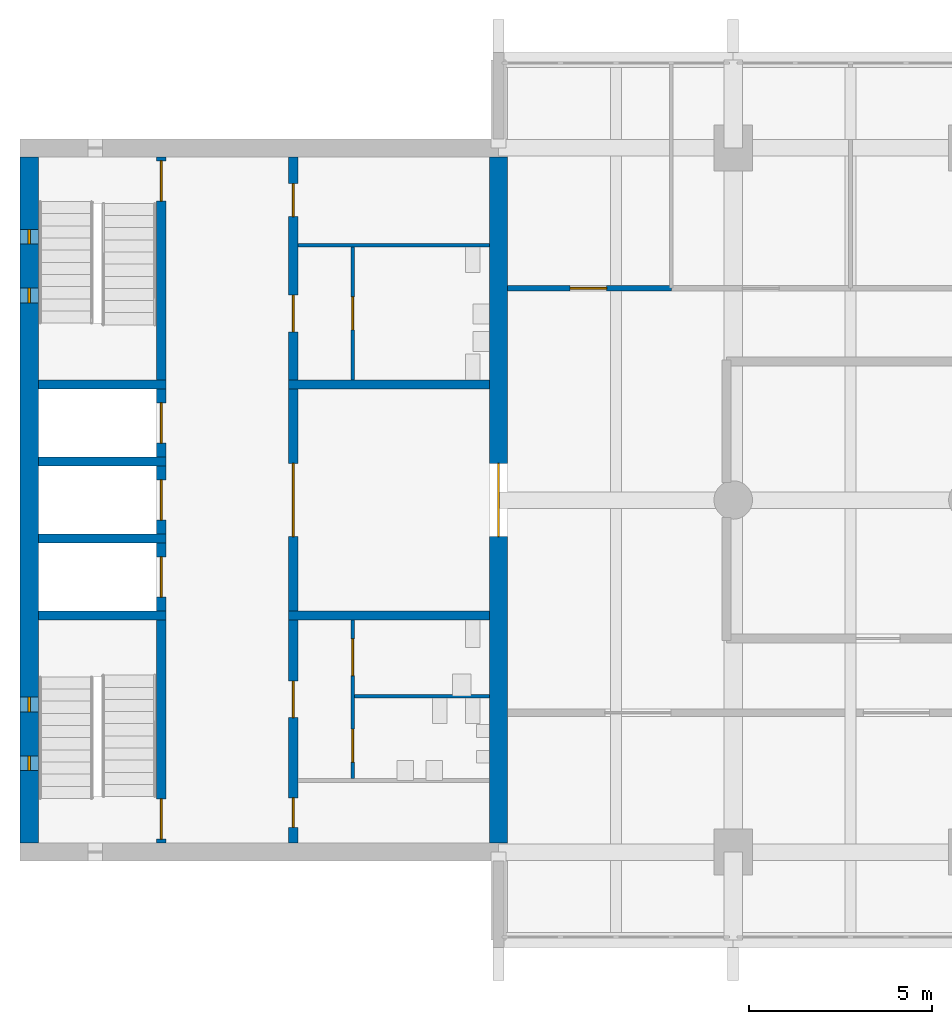
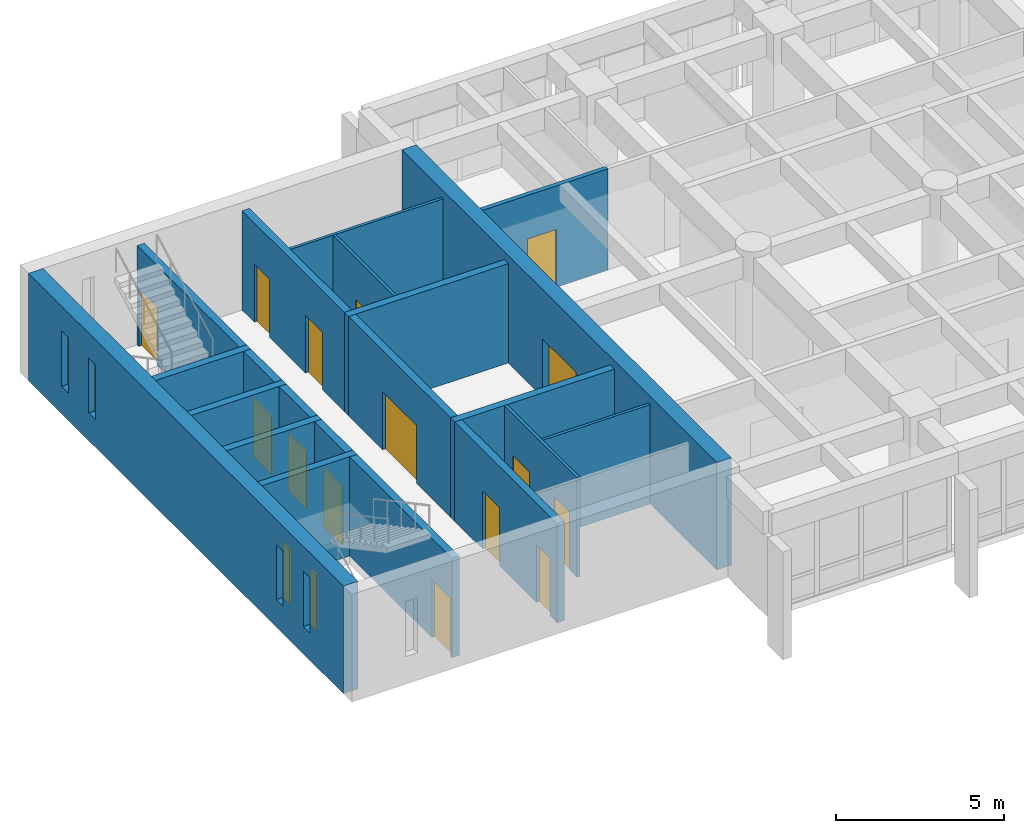
# One storey, part 11 of 19: 21 walls, 15 doors, 4 windows, 19 openings.
"""IFC4 building model written with IfcOpenShell, lengths in metres."""

from ifc_helpers import new_model, si_unit, direction, frame, frame_2d, origin, place, context, subcontext, project, spatial, rectangle, extrude, material, layer, layer_set, type_object, element, fill, save


model = new_model("IFC4")

# Units and contexts
model_context = context("Model", 3, precision=1e-05, world=origin(), true_north=direction((0.0, 1.0)))
body_context = subcontext(model_context, "Body", "Model", "MODEL_VIEW")
ifc_project = project(units=[si_unit("LENGTHUNIT", "METRE"), si_unit("AREAUNIT", "SQUARE_METRE"), si_unit("VOLUMEUNIT", "CUBIC_METRE"), si_unit("PLANEANGLEUNIT", "RADIAN"), si_unit("MASSUNIT", "GRAM", prefix="KILO")], contexts=[model_context])

# Site, building, storey
site_placement = place(None, origin())
site = spatial("IfcSite", under=ifc_project, at=site_placement, CompositionType="ELEMENT")
building_placement = place(site_placement, origin())
building = spatial("IfcBuilding", under=site, at=building_placement, Name="Fogon Plaza Fire Station and Headquarters Tower", CompositionType="ELEMENT")
storey_placement = place(building_placement, frame((0.0, 0.0, 21.0)))
storey = spatial("IfcBuildingStorey", under=building, at=storey_placement, Name="L05", CompositionType="ELEMENT", Elevation=21.0)

# Walls
ifc_material_1 = material(Name="Concrete C40", Category="concrete")
ifc_layer_1 = layer(ifc_material_1, 0.25)
ifc_layer_set_1 = layer_set([ifc_layer_1], Name="Concrete C40")
wall_type_1 = type_object("IfcWallType", Name="Core Wall RC 250", PredefinedType="SOLIDWALL", material=ifc_layer_set_1)
for number, where, z_axis, x_axis, name in (
    (1, (13.050048828125, 40.050048828125, 0.0), (0.0, 0.0, 1.0), (1.0, 0.0, 0.0), "Core A shaft wall"),
    (2, (13.050048828125, 42.14990234375, 0.0), (0.0, 0.0, 1.0), (1.0, 0.0, 0.0), "Core A shaft wall"),
    (3, (13.050048828125, 44.25, 0.0), (0.0, 0.0, 1.0), (1.0, 0.0, 0.0), "Core A shaft wall"),
    (4, (13.050048828125, 46.35009765625, 0.0), (0.0, 0.0, 1.0), (1.0, 0.0, 0.0), "Core A shaft wall"),
):
    element("IfcWall", number, at=place(storey_placement, frame(where, z_axis=z_axis, x_axis=x_axis)), inside=storey, type_object=wall_type_1, Name=name, PredefinedType="SOLIDWALL", context=body_context, shape_type="SweptSolid", body=[
        extrude(rectangle(XDim=3.474853515625, YDim=0.25, at=frame_2d((1.7373046875, 0.0))), origin(), (0.0, 0.0, 1.0), 3.60009765625),
    ])

# Wall, opening, door
wall_1_placement = place(storey_placement, frame((16.39990234375, 33.85009765625, 0.0), z_axis=(0.0, 0.0, 1.0), x_axis=(0.0, 1.0, 0.0)))
wall_1 = element("IfcWall", 5, at=wall_1_placement, inside=storey, type_object=wall_type_1, Name="Core A shaft wall", PredefinedType="SOLIDWALL", context=body_context, shape_type="SweptSolid", body=[
    extrude(rectangle(XDim=6.074951171875, YDim=0.25, at=frame_2d((3.03759765625, 0.0))), origin(), (0.0, 0.0, 1.0), 3.60009765625),
])
opening_1_placement = place(wall_1_placement, frame((0.10009765625, 0.0, 0.0)))
opening_1 = element("IfcOpeningElement", 6, at=opening_1_placement, cuts=wall_1, Name="Opening L05-D01", PredefinedType="OPENING", context=body_context, shape_type="SweptSolid", body=[
    extrude(rectangle(XDim=1.10009765625, YDim=2.10009765625, at=frame_2d((0.550048828125, 1.050048828125))), frame((0.0, 0.135009765625, 0.0), z_axis=(0.0, -1.0, 0.0), x_axis=(1.0, 0.0, 0.0)), (0.0, 0.0, 1.0), 0.27001953125),
])
ifc_material_2 = material(Name="Steel Fire Door Leaf", Category="steel")
door_type_1 = type_object("IfcDoorType", Name="Stair Door Single 1100x2100", OperationType="SINGLE_SWING_LEFT", PredefinedType="DOOR", material=ifc_material_2)
door_1_placement = place(opening_1_placement, origin())
door_1 = element("IfcDoor", 7, at=door_1_placement, inside=storey, type_object=door_type_1, Name="Stair door ST1", OperationType="SINGLE_SWING_LEFT", OverallHeight=2.10009765625, OverallWidth=1.10009765625, PredefinedType="DOOR", context=body_context, shape_type="SweptSolid", body=[
    extrude(rectangle(XDim=1.10009765625, YDim=2.10009765625, at=frame_2d((0.550048828125, 1.050048828125))), frame((0.0, 0.02490234375, 0.0), z_axis=(0.0, -1.0, 0.0), x_axis=(1.0, 0.0, 0.0)), (0.0, 0.0, 1.0), 0.050048828125),
])
fill(opening_1, door_1)

wall_2_placement = place(storey_placement, frame((16.39990234375, 40.175048828125, 0.0), z_axis=(0.0, 0.0, 1.0), x_axis=(0.0, 1.0, 0.0)))
wall_2 = element("IfcWall", 8, at=wall_2_placement, inside=storey, type_object=wall_type_1, Name="Core A shaft wall", PredefinedType="SOLIDWALL", context=body_context, shape_type="SweptSolid", body=[
    extrude(rectangle(XDim=1.849853515625, YDim=0.25, at=frame_2d((0.9248046875, 0.0))), origin(), (0.0, 0.0, 1.0), 3.60009765625),
])
opening_2_placement = place(wall_2_placement, frame((0.375, 0.0, 0.0)))
opening_2 = element("IfcOpeningElement", 9, at=opening_2_placement, cuts=wall_2, Name="Opening L05-D03", PredefinedType="OPENING", context=body_context, shape_type="SweptSolid", body=[
    extrude(rectangle(XDim=1.10009765625, YDim=2.10009765625, at=frame_2d((0.550048828125, 1.050048828125))), frame((0.0, 0.135009765625, 0.0), z_axis=(0.0, -1.0, 0.0), x_axis=(1.0, 0.0, 0.0)), (0.0, 0.0, 1.0), 0.27001953125),
])
ifc_material_3 = material(Name="Stainless Steel", Category="steel")
door_type_2 = type_object("IfcDoorType", Name="Lift Landing Door 1100x2100", OperationType="SLIDING_TO_LEFT", PredefinedType="DOOR", material=ifc_material_3)
door_2_placement = place(opening_2_placement, origin())
door_2 = element("IfcDoor", 10, at=door_2_placement, inside=storey, type_object=door_type_2, Name="Lift LP1 landing door", OperationType="SLIDING_TO_LEFT", OverallHeight=2.10009765625, OverallWidth=1.10009765625, PredefinedType="DOOR", context=body_context, shape_type="SweptSolid", body=[
    extrude(rectangle(XDim=1.10009765625, YDim=2.10009765625, at=frame_2d((0.550048828125, 1.050048828125))), frame((0.0, 0.02490234375, 0.0), z_axis=(0.0, -1.0, 0.0), x_axis=(1.0, 0.0, 0.0)), (0.0, 0.0, 1.0), 0.050048828125),
])
fill(opening_2, door_2)

wall_3_placement = place(storey_placement, frame((16.39990234375, 42.27490234375, 0.0), z_axis=(0.0, 0.0, 1.0), x_axis=(0.0, 1.0, 0.0)))
wall_3 = element("IfcWall", 11, at=wall_3_placement, inside=storey, type_object=wall_type_1, Name="Core A shaft wall", PredefinedType="SOLIDWALL", context=body_context, shape_type="SweptSolid", body=[
    extrude(rectangle(XDim=1.85009765625, YDim=0.25, at=frame_2d((0.925048828125, 0.0))), origin(), (0.0, 0.0, 1.0), 3.60009765625),
])
opening_3_placement = place(wall_3_placement, frame((0.375, 0.0, 0.0)))
opening_3 = element("IfcOpeningElement", 12, at=opening_3_placement, cuts=wall_3, Name="Opening L05-D04", PredefinedType="OPENING", context=body_context, shape_type="SweptSolid", body=[
    extrude(rectangle(XDim=1.10009765625, YDim=2.10009765625, at=frame_2d((0.550048828125, 1.050048828125))), frame((0.0, 0.135009765625, 0.0), z_axis=(0.0, -1.0, 0.0), x_axis=(1.0, 0.0, 0.0)), (0.0, 0.0, 1.0), 0.27001953125),
])
door_3_placement = place(opening_3_placement, origin())
door_3 = element("IfcDoor", 13, at=door_3_placement, inside=storey, type_object=door_type_2, Name="Lift LP2 landing door", OperationType="SLIDING_TO_LEFT", OverallHeight=2.10009765625, OverallWidth=1.10009765625, PredefinedType="DOOR", context=body_context, shape_type="SweptSolid", body=[
    extrude(rectangle(XDim=1.10009765625, YDim=2.10009765625, at=frame_2d((0.550048828125, 1.050048828125))), frame((0.0, 0.02490234375, 0.0), z_axis=(0.0, -1.0, 0.0), x_axis=(1.0, 0.0, 0.0)), (0.0, 0.0, 1.0), 0.050048828125),
])
fill(opening_3, door_3)

wall_4_placement = place(storey_placement, frame((16.39990234375, 44.375, 0.0), z_axis=(0.0, 0.0, 1.0), x_axis=(0.0, 1.0, 0.0)))
wall_4 = element("IfcWall", 14, at=wall_4_placement, inside=storey, type_object=wall_type_1, Name="Core A shaft wall", PredefinedType="SOLIDWALL", context=body_context, shape_type="SweptSolid", body=[
    extrude(rectangle(XDim=1.85009765625, YDim=0.25, at=frame_2d((0.925048828125, 0.0))), origin(), (0.0, 0.0, 1.0), 3.60009765625),
])
opening_4_placement = place(wall_4_placement, frame((0.375, 0.0, 0.0)))
opening_4 = element("IfcOpeningElement", 15, at=opening_4_placement, cuts=wall_4, Name="Opening L05-D05", PredefinedType="OPENING", context=body_context, shape_type="SweptSolid", body=[
    extrude(rectangle(XDim=1.10009765625, YDim=2.10009765625, at=frame_2d((0.550048828125, 1.050048828125))), frame((0.0, 0.135009765625, 0.0), z_axis=(0.0, -1.0, 0.0), x_axis=(1.0, 0.0, 0.0)), (0.0, 0.0, 1.0), 0.27001953125),
])
door_4_placement = place(opening_4_placement, origin())
door_4 = element("IfcDoor", 16, at=door_4_placement, inside=storey, type_object=door_type_2, Name="Lift FL1 landing door", OperationType="SLIDING_TO_LEFT", OverallHeight=2.10009765625, OverallWidth=1.10009765625, PredefinedType="DOOR", context=body_context, shape_type="SweptSolid", body=[
    extrude(rectangle(XDim=1.10009765625, YDim=2.10009765625, at=frame_2d((0.550048828125, 1.050048828125))), frame((0.0, 0.02490234375, 0.0), z_axis=(0.0, -1.0, 0.0), x_axis=(1.0, 0.0, 0.0)), (0.0, 0.0, 1.0), 0.050048828125),
])
fill(opening_4, door_4)

wall_5_placement = place(storey_placement, frame((16.39990234375, 46.47509765625, 0.0), z_axis=(0.0, 0.0, 1.0), x_axis=(0.0, 1.0, 0.0)))
wall_5 = element("IfcWall", 17, at=wall_5_placement, inside=storey, type_object=wall_type_1, Name="Core A shaft wall", PredefinedType="SOLIDWALL", context=body_context, shape_type="SweptSolid", body=[
    extrude(rectangle(XDim=6.074951171875, YDim=0.25, at=frame_2d((3.03759765625, 0.0))), origin(), (0.0, 0.0, 1.0), 3.60009765625),
])
opening_5_placement = place(wall_5_placement, frame((4.875, 0.0, 0.0)))
opening_5 = element("IfcOpeningElement", 18, at=opening_5_placement, cuts=wall_5, Name="Opening L05-D02", PredefinedType="OPENING", context=body_context, shape_type="SweptSolid", body=[
    extrude(rectangle(XDim=1.10009765625, YDim=2.10009765625, at=frame_2d((0.550048828125, 1.050048828125))), frame((0.0, 0.135009765625, 0.0), z_axis=(0.0, -1.0, 0.0), x_axis=(1.0, 0.0, 0.0)), (0.0, 0.0, 1.0), 0.27001953125),
])
door_5_placement = place(opening_5_placement, origin())
door_5 = element("IfcDoor", 19, at=door_5_placement, inside=storey, type_object=door_type_1, Name="Stair door ST2", OperationType="SINGLE_SWING_RIGHT", OverallHeight=2.10009765625, OverallWidth=1.10009765625, PredefinedType="DOOR", context=body_context, shape_type="SweptSolid", body=[
    extrude(rectangle(XDim=1.10009765625, YDim=2.10009765625, at=frame_2d((0.550048828125, 1.050048828125))), frame((0.0, 0.02490234375, 0.0), z_axis=(0.0, -1.0, 0.0), x_axis=(1.0, 0.0, 0.0)), (0.0, 0.0, 1.0), 0.050048828125),
])
fill(opening_5, door_5)

# Wall, openings, doors
wall_6_placement = place(storey_placement, frame((20.0, 33.85009765625, 0.0), z_axis=(0.0, 0.0, 1.0), x_axis=(0.0, 1.0, 0.0)))
wall_6 = element("IfcWall", 20, at=wall_6_placement, inside=storey, type_object=wall_type_1, Name="Core A shaft wall", PredefinedType="SOLIDWALL", context=body_context, shape_type="SweptSolid", body=[
    extrude(rectangle(XDim=6.074951171875, YDim=0.25, at=frame_2d((3.03759765625, 0.0))), origin(), (0.0, 0.0, 1.0), 3.60009765625),
])
opening_6_placement = place(wall_6_placement, frame((0.425048828125, 0.0, 0.0)))
opening_6 = element("IfcOpeningElement", 21, at=opening_6_placement, cuts=wall_6, Name="Opening L05-D08", PredefinedType="OPENING", context=body_context, shape_type="SweptSolid", body=[
    extrude(rectangle(XDim=0.800048828125, YDim=2.10009765625, at=frame_2d((0.39990234375, 1.050048828125))), frame((0.0, 0.135009765625, 0.0), z_axis=(0.0, -1.0, 0.0), x_axis=(1.0, 0.0, 0.0)), (0.0, 0.0, 1.0), 0.27001953125),
])
opening_7_placement = place(wall_6_placement, frame((3.41259765625, 0.0, 0.0)))
opening_7 = element("IfcOpeningElement", 22, at=opening_7_placement, cuts=wall_6, Name="Opening L05-D09", PredefinedType="OPENING", context=body_context, shape_type="SweptSolid", body=[
    extrude(rectangle(XDim=1.0, YDim=2.10009765625, at=frame_2d((0.5, 1.050048828125))), frame((0.0, 0.135009765625, 0.0), z_axis=(0.0, -1.0, 0.0), x_axis=(1.0, 0.0, 0.0)), (0.0, 0.0, 1.0), 0.27001953125),
])
ifc_material_4 = material(Name="Timber Door Leaf", Category="wood")
door_type_3 = type_object("IfcDoorType", Name="Cleaner Store Single 800x2100", OperationType="SINGLE_SWING_LEFT", PredefinedType="DOOR", material=ifc_material_4)
door_6_placement = place(opening_6_placement, frame((0.800048828125, 0.0, 0.0), z_axis=(0.0, 0.0, 1.0), x_axis=(-1.0, 0.0, 0.0)))
door_6 = element("IfcDoor", 23, at=door_6_placement, inside=storey, type_object=door_type_3, Name="Cleaner's store A door", OperationType="SINGLE_SWING_RIGHT", OverallHeight=2.10009765625, OverallWidth=0.800048828125, PredefinedType="DOOR", context=body_context, shape_type="SweptSolid", body=[
    extrude(rectangle(XDim=0.800048828125, YDim=2.10009765625, at=frame_2d((0.39990234375, 1.050048828125))), frame((0.0, 0.02490234375, 0.0), z_axis=(0.0, -1.0, 0.0), x_axis=(1.0, 0.0, 0.0)), (0.0, 0.0, 1.0), 0.050048828125),
])
fill(opening_6, door_6)
ifc_material_5 = material(Name="Timber fire door", Category="wood")
door_type_4 = type_object("IfcDoorType", Name="WC Lobby Single 1000x2100", OperationType="SINGLE_SWING_LEFT", PredefinedType="DOOR", material=ifc_material_5)
door_7_placement = place(opening_7_placement, frame((1.0, 0.0, 0.0), z_axis=(0.0, 0.0, 1.0), x_axis=(-1.0, 0.0, 0.0)))
door_7 = element("IfcDoor", 24, at=door_7_placement, inside=storey, type_object=door_type_4, Name="Men's WC lobby A door", OperationType="SINGLE_SWING_LEFT", OverallHeight=2.10009765625, OverallWidth=1.0, PredefinedType="DOOR", context=body_context, shape_type="SweptSolid", body=[
    extrude(rectangle(XDim=1.0, YDim=2.10009765625, at=frame_2d((0.5, 1.050048828125))), frame((0.0, 0.02490234375, 0.0), z_axis=(0.0, -1.0, 0.0), x_axis=(1.0, 0.0, 0.0)), (0.0, 0.0, 1.0), 0.050048828125),
])
fill(opening_7, door_7)

# Wall, opening, door
wall_7_placement = place(storey_placement, frame((20.0, 40.175048828125, 0.0), z_axis=(0.0, 0.0, 1.0), x_axis=(0.0, 1.0, 0.0)))
wall_7 = element("IfcWall", 25, at=wall_7_placement, inside=storey, type_object=wall_type_1, Name="Core A shaft wall", PredefinedType="SOLIDWALL", context=body_context, shape_type="SweptSolid", body=[
    extrude(rectangle(XDim=6.050048828125, YDim=0.25, at=frame_2d((3.02490234375, 0.0))), origin(), (0.0, 0.0, 1.0), 3.60009765625),
])
opening_8_placement = place(wall_7_placement, frame((2.02490234375, 0.0, 0.0)))
opening_8 = element("IfcOpeningElement", 26, at=opening_8_placement, cuts=wall_7, Name="Opening L05-D06", PredefinedType="OPENING", context=body_context, shape_type="SweptSolid", body=[
    extrude(rectangle(XDim=2.0, YDim=2.10009765625, at=frame_2d((1.0, 1.050048828125))), frame((0.0, 0.135009765625, 0.0), z_axis=(0.0, -1.0, 0.0), x_axis=(1.0, 0.0, 0.0)), (0.0, 0.0, 1.0), 0.27001953125),
])
ifc_material_6 = material(Name="Steel Fire Door Leaf", Category="steel")
door_type_5 = type_object("IfcDoorType", Name="Vestibule Double 2000x2100", OperationType="DOUBLE_DOOR_SINGLE_SWING", PredefinedType="DOOR", material=ifc_material_6)
door_8_placement = place(opening_8_placement, frame((2.0, 0.0, 0.0), z_axis=(0.0, 0.0, 1.0), x_axis=(-1.0, 0.0, 0.0)))
door_8 = element("IfcDoor", 27, at=door_8_placement, inside=storey, type_object=door_type_5, Name="Vestibule A door", OperationType="DOUBLE_DOOR_SINGLE_SWING", OverallHeight=2.10009765625, OverallWidth=2.0, PredefinedType="DOOR", context=body_context, shape_type="SweptSolid", body=[
    extrude(rectangle(XDim=2.0, YDim=2.10009765625, at=frame_2d((1.0, 1.050048828125))), frame((0.0, 0.02490234375, 0.0), z_axis=(0.0, -1.0, 0.0), x_axis=(1.0, 0.0, 0.0)), (0.0, 0.0, 1.0), 0.050048828125),
])
fill(opening_8, door_8)

# Wall, openings, doors
wall_8_placement = place(storey_placement, frame((20.0, 46.47509765625, 0.0), z_axis=(0.0, 0.0, 1.0), x_axis=(0.0, 1.0, 0.0)))
wall_8 = element("IfcWall", 28, at=wall_8_placement, inside=storey, type_object=wall_type_1, Name="Core A shaft wall", PredefinedType="SOLIDWALL", context=body_context, shape_type="SweptSolid", body=[
    extrude(rectangle(XDim=6.074951171875, YDim=0.25, at=frame_2d((3.03759765625, 0.0))), origin(), (0.0, 0.0, 1.0), 3.60009765625),
])
opening_9_placement = place(wall_8_placement, frame((1.3125, 0.0, 0.0)))
opening_9 = element("IfcOpeningElement", 29, at=opening_9_placement, cuts=wall_8, Name="Opening L05-D12", PredefinedType="OPENING", context=body_context, shape_type="SweptSolid", body=[
    extrude(rectangle(XDim=1.0, YDim=2.10009765625, at=frame_2d((0.5, 1.050048828125))), frame((0.0, 0.135009765625, 0.0), z_axis=(0.0, -1.0, 0.0), x_axis=(1.0, 0.0, 0.0)), (0.0, 0.0, 1.0), 0.27001953125),
])
opening_10_placement = place(wall_8_placement, frame((4.449951171875, 0.0, 0.0)))
opening_10 = element("IfcOpeningElement", 30, at=opening_10_placement, cuts=wall_8, Name="Opening L05-D14", PredefinedType="OPENING", context=body_context, shape_type="SweptSolid", body=[
    extrude(rectangle(XDim=0.89990234375, YDim=2.10009765625, at=frame_2d((0.449951171875, 1.050048828125))), frame((0.0, 0.135009765625, 0.0), z_axis=(0.0, -1.0, 0.0), x_axis=(1.0, 0.0, 0.0)), (0.0, 0.0, 1.0), 0.27001953125),
])
ifc_material_7 = material(Name="Steel Fire Door Leaf", Category="steel")
door_type_6 = type_object("IfcDoorType", Name="Riser Single 900x2100", OperationType="SINGLE_SWING_LEFT", PredefinedType="DOOR", material=ifc_material_7)
door_9_placement = place(opening_10_placement, frame((0.89990234375, 0.0, 0.0), z_axis=(0.0, 0.0, 1.0), x_axis=(-1.0, 0.0, 0.0)))
door_9 = element("IfcDoor", 31, at=door_9_placement, inside=storey, type_object=door_type_6, Name="Riser room A door", OperationType="SINGLE_SWING_RIGHT", OverallHeight=2.10009765625, OverallWidth=0.89990234375, PredefinedType="DOOR", context=body_context, shape_type="SweptSolid", body=[
    extrude(rectangle(XDim=0.89990234375, YDim=2.10009765625, at=frame_2d((0.449951171875, 1.050048828125))), frame((0.0, 0.02490234375, 0.0), z_axis=(0.0, -1.0, 0.0), x_axis=(1.0, 0.0, 0.0)), (0.0, 0.0, 1.0), 0.050048828125),
])
fill(opening_10, door_9)
door_10_placement = place(opening_9_placement, frame((1.0, 0.0, 0.0), z_axis=(0.0, 0.0, 1.0), x_axis=(-1.0, 0.0, 0.0)))
door_10 = element("IfcDoor", 32, at=door_10_placement, inside=storey, type_object=door_type_4, Name="Women's WC lobby A door", OperationType="SINGLE_SWING_RIGHT", OverallHeight=2.10009765625, OverallWidth=1.0, PredefinedType="DOOR", context=body_context, shape_type="SweptSolid", body=[
    extrude(rectangle(XDim=1.0, YDim=2.10009765625, at=frame_2d((0.5, 1.050048828125))), frame((0.0, 0.02490234375, 0.0), z_axis=(0.0, -1.0, 0.0), x_axis=(1.0, 0.0, 0.0)), (0.0, 0.0, 1.0), 0.050048828125),
])
fill(opening_9, door_10)

# Walls
for number, where, z_axis, x_axis, name in (
    (33, (19.875, 40.050048828125, 0.0), (0.0, 0.0, 1.0), (1.0, 0.0, 0.0), "Core A shaft wall"),
    (34, (19.875, 46.35009765625, 0.0), (0.0, 0.0, 1.0), (1.0, 0.0, 0.0), "Core A shaft wall"),
):
    element("IfcWall", number, at=place(storey_placement, frame(where, z_axis=z_axis, x_axis=x_axis)), inside=storey, type_object=wall_type_1, Name=name, PredefinedType="SOLIDWALL", context=body_context, shape_type="SweptSolid", body=[
        extrude(rectangle(XDim=5.47509765625, YDim=0.25, at=frame_2d((2.737548828125, 0.0))), origin(), (0.0, 0.0, 1.0), 3.60009765625),
    ])

# Wall, openings, doors
ifc_material_8 = material(Name="Blockwork", Category="masonry")
ifc_layer_2 = layer(ifc_material_8, 0.10009765625)
ifc_layer_set_2 = layer_set([ifc_layer_2], Name="Blockwork")
wall_type_2 = type_object("IfcWallType", Name="Partition Blockwork 100", PredefinedType="PARTITIONING", material=ifc_layer_set_2)
wall_9_placement = place(storey_placement, frame((21.625, 35.60009765625, 0.0), z_axis=(0.0, 0.0, 1.0), x_axis=(0.0, 1.0, 0.0)))
wall_9 = element("IfcWall", 35, at=wall_9_placement, inside=storey, type_object=wall_type_2, Name="WC block partition", PredefinedType="PARTITIONING", context=body_context, shape_type="SweptSolid", body=[
    extrude(rectangle(XDim=4.324951171875, YDim=0.10009765625, at=frame_2d((2.16259765625, 0.0))), origin(), (0.0, 0.0, 1.0), 3.60009765625),
])
opening_11_placement = place(wall_9_placement, frame((0.449951171875, 0.0, 0.0)))
opening_11 = element("IfcOpeningElement", 36, at=opening_11_placement, cuts=wall_9, Name="Opening L05-D10", PredefinedType="OPENING", context=body_context, shape_type="SweptSolid", body=[
    extrude(rectangle(XDim=0.89990234375, YDim=2.10009765625, at=frame_2d((0.449951171875, 1.050048828125))), frame((0.0, 0.06005859375, 0.0), z_axis=(0.0, -1.0, 0.0), x_axis=(1.0, 0.0, 0.0)), (0.0, 0.0, 1.0), 0.1201171875),
])
opening_12_placement = place(wall_9_placement, frame((2.8125, 0.0, 0.0)))
opening_12 = element("IfcOpeningElement", 37, at=opening_12_placement, cuts=wall_9, Name="Opening L05-D11", PredefinedType="OPENING", context=body_context, shape_type="SweptSolid", body=[
    extrude(rectangle(XDim=1.0, YDim=2.10009765625, at=frame_2d((0.5, 1.050048828125))), frame((0.0, 0.06005859375, 0.0), z_axis=(0.0, -1.0, 0.0), x_axis=(1.0, 0.0, 0.0)), (0.0, 0.0, 1.0), 0.1201171875),
])
ifc_material_9 = material(Name="Timber Door Leaf", Category="wood")
door_type_7 = type_object("IfcDoorType", Name="Accessible WC Single 1000x2100", OperationType="SINGLE_SWING_LEFT", PredefinedType="DOOR", material=ifc_material_9)
door_11_placement = place(opening_12_placement, frame((1.0, 0.0, 0.0), z_axis=(0.0, 0.0, 1.0), x_axis=(-1.0, 0.0, 0.0)))
door_11 = element("IfcDoor", 38, at=door_11_placement, inside=storey, type_object=door_type_7, Name="Accessible WC A door", OperationType="SINGLE_SWING_LEFT", OverallHeight=2.10009765625, OverallWidth=1.0, PredefinedType="DOOR", context=body_context, shape_type="SweptSolid", body=[
    extrude(rectangle(XDim=1.0, YDim=2.10009765625, at=frame_2d((0.5, 1.050048828125))), frame((0.0, 0.02490234375, 0.0), z_axis=(0.0, -1.0, 0.0), x_axis=(1.0, 0.0, 0.0)), (0.0, 0.0, 1.0), 0.050048828125),
])
fill(opening_12, door_11)
ifc_material_10 = material(Name="Timber Door Leaf", Category="wood")
door_type_8 = type_object("IfcDoorType", Name="WC Single 900x2100", OperationType="SINGLE_SWING_LEFT", PredefinedType="DOOR", material=ifc_material_10)
door_12_placement = place(opening_11_placement, frame((0.89990234375, 0.0, 0.0), z_axis=(0.0, 0.0, 1.0), x_axis=(-1.0, 0.0, 0.0)))
door_12 = element("IfcDoor", 39, at=door_12_placement, inside=storey, type_object=door_type_8, Name="Men's WC A door", OperationType="SINGLE_SWING_RIGHT", OverallHeight=2.10009765625, OverallWidth=0.89990234375, PredefinedType="DOOR", context=body_context, shape_type="SweptSolid", body=[
    extrude(rectangle(XDim=0.89990234375, YDim=2.10009765625, at=frame_2d((0.449951171875, 1.050048828125))), frame((0.0, 0.02490234375, 0.0), z_axis=(0.0, -1.0, 0.0), x_axis=(1.0, 0.0, 0.0)), (0.0, 0.0, 1.0), 0.050048828125),
])
fill(opening_11, door_12)

# Wall
wall_10_placement = place(storey_placement, frame((21.675048828125, 37.85009765625, 0.0), z_axis=(0.0, 0.0, 1.0), x_axis=(1.0, 0.0, 0.0)))
element("IfcWall", 40, at=wall_10_placement, inside=storey, type_object=wall_type_2, Name="WC block partition", PredefinedType="PARTITIONING", context=body_context, shape_type="SweptSolid", body=[
    extrude(rectangle(XDim=3.675048828125, YDim=0.10009765625, at=frame_2d((1.83740234375, 0.0))), origin(), (0.0, 0.0, 1.0), 3.60009765625),
])

# Wall, opening, door
wall_11_placement = place(storey_placement, frame((21.625, 46.47509765625, 0.0), z_axis=(0.0, 0.0, 1.0), x_axis=(0.0, 1.0, 0.0)))
wall_11 = element("IfcWall", 41, at=wall_11_placement, inside=storey, type_object=wall_type_2, Name="WC block partition", PredefinedType="PARTITIONING", context=body_context, shape_type="SweptSolid", body=[
    extrude(rectangle(XDim=3.625, YDim=0.10009765625, at=frame_2d((1.8125, 0.0))), origin(), (0.0, 0.0, 1.0), 3.60009765625),
])
opening_13_placement = place(wall_11_placement, frame((1.362548828125, 0.0, 0.0)))
opening_13 = element("IfcOpeningElement", 42, at=opening_13_placement, cuts=wall_11, Name="Opening L05-D13", PredefinedType="OPENING", context=body_context, shape_type="SweptSolid", body=[
    extrude(rectangle(XDim=0.89990234375, YDim=2.10009765625, at=frame_2d((0.449951171875, 1.050048828125))), frame((0.0, 0.06005859375, 0.0), z_axis=(0.0, -1.0, 0.0), x_axis=(1.0, 0.0, 0.0)), (0.0, 0.0, 1.0), 0.1201171875),
])
door_13_placement = place(opening_13_placement, frame((0.89990234375, 0.0, 0.0), z_axis=(0.0, 0.0, 1.0), x_axis=(-1.0, 0.0, 0.0)))
door_13 = element("IfcDoor", 43, at=door_13_placement, inside=storey, type_object=door_type_8, Name="Women's WC A door", OperationType="SINGLE_SWING_LEFT", OverallHeight=2.10009765625, OverallWidth=0.89990234375, PredefinedType="DOOR", context=body_context, shape_type="SweptSolid", body=[
    extrude(rectangle(XDim=0.89990234375, YDim=2.10009765625, at=frame_2d((0.449951171875, 1.050048828125))), frame((0.0, 0.02490234375, 0.0), z_axis=(0.0, -1.0, 0.0), x_axis=(1.0, 0.0, 0.0)), (0.0, 0.0, 1.0), 0.050048828125),
])
fill(opening_13, door_13)

# Wall
ifc_material_11 = material(Name="Blockwork", Category="masonry")
ifc_layer_3 = layer(ifc_material_11, 0.10009765625)
ifc_layer_set_3 = layer_set([ifc_layer_3], Name="Blockwork")
wall_type_3 = type_object("IfcWallType", Name="Riser Partition Blockwork 100", PredefinedType="PARTITIONING", material=ifc_layer_set_3)
wall_12_placement = place(storey_placement, frame((20.125, 50.14990234375, 0.0), z_axis=(0.0, 0.0, 1.0), x_axis=(1.0, 0.0, 0.0)))
element("IfcWall", 44, at=wall_12_placement, inside=storey, type_object=wall_type_3, Name="Riser room partition", PredefinedType="PARTITIONING", context=body_context, shape_type="SweptSolid", body=[
    extrude(rectangle(XDim=5.22509765625, YDim=0.10009765625, at=frame_2d((2.612548828125, 0.0))), origin(), (0.0, 0.0, 1.0), 3.60009765625),
])

# Wall, opening, door
ifc_material_12 = material(Name="Concrete C40", Category="concrete")
ifc_layer_4 = layer(ifc_material_12, 0.5)
ifc_layer_set_4 = layer_set([ifc_layer_4], Name="Concrete C40")
wall_type_4 = type_object("IfcWallType", Name="Shear wall 500 SW50", PredefinedType="SHEAR", material=ifc_layer_set_4)
wall_13_placement = place(storey_placement, frame((25.60009765625, 33.85009765625, 0.0), z_axis=(0.0, 0.0, 1.0), x_axis=(0.0, 1.0, 0.0)))
wall_13 = element("IfcWall", 45, at=wall_13_placement, inside=storey, type_object=wall_type_4, Name="wall-coreA-E-L05", PredefinedType="SHEAR", context=body_context, shape_type="SweptSolid", body=[
    extrude(rectangle(XDim=18.699951171875, YDim=0.5, at=frame_2d((9.35009765625, 0.0))), origin(), (0.0, 0.0, 1.0), 3.89990234375),
])
opening_14_placement = place(wall_13_placement, frame((8.35009765625, 0.0, 0.0)))
opening_14 = element("IfcOpeningElement", 46, at=opening_14_placement, cuts=wall_13, Name="Opening L05-D07", PredefinedType="OPENING", context=body_context, shape_type="SweptSolid", body=[
    extrude(rectangle(XDim=2.0, YDim=2.10009765625, at=frame_2d((1.0, 1.050048828125))), frame((0.0, 0.260009765625, 0.0), z_axis=(0.0, -1.0, 0.0), x_axis=(1.0, 0.0, 0.0)), (0.0, 0.0, 1.0), 0.52001953125),
])
door_14_placement = place(opening_14_placement, origin())
door_14 = element("IfcDoor", 47, at=door_14_placement, inside=storey, type_object=door_type_5, Name="Vestibule A door to the office zone", OperationType="DOUBLE_DOOR_SINGLE_SWING", OverallHeight=2.10009765625, OverallWidth=2.0, PredefinedType="DOOR", context=body_context, shape_type="SweptSolid", body=[
    extrude(rectangle(XDim=2.0, YDim=2.10009765625, at=frame_2d((1.0, 1.050048828125))), frame((0.0, 0.02490234375, 0.0), z_axis=(0.0, -1.0, 0.0), x_axis=(1.0, 0.0, 0.0)), (0.0, 0.0, 1.0), 0.050048828125),
])
fill(opening_14, door_14)

# Wall, openings, windows
wall_14_placement = place(storey_placement, frame((12.800048828125, 33.85009765625, 0.0), z_axis=(0.0, 0.0, 1.0), x_axis=(0.0, 1.0, 0.0)))
wall_14 = element("IfcWall", 48, at=wall_14_placement, inside=storey, type_object=wall_type_4, Name="wall-coreA-W-L05", PredefinedType="SHEAR", context=body_context, shape_type="SweptSolid", body=[
    extrude(rectangle(XDim=18.699951171875, YDim=0.5, at=frame_2d((9.35009765625, 0.0))), origin(), (0.0, 0.0, 1.0), 3.89990234375),
])
opening_15_placement = place(wall_14_placement, frame((1.97509765625, 0.0, 1.0)))
opening_15 = element("IfcOpeningElement", 49, at=opening_15_placement, cuts=wall_14, Name="Opening WS1", PredefinedType="OPENING", context=body_context, shape_type="SweptSolid", body=[
    extrude(rectangle(XDim=0.39990234375, YDim=2.0, at=frame_2d((0.199951171875, 1.0))), frame((0.0, 0.260009765625, 0.0), z_axis=(0.0, -1.0, 0.0), x_axis=(1.0, 0.0, 0.0)), (0.0, 0.0, 1.0), 0.52001953125),
])
opening_16_placement = place(wall_14_placement, frame((3.574951171875, 0.0, 1.0)))
opening_16 = element("IfcOpeningElement", 50, at=opening_16_placement, cuts=wall_14, Name="Opening WS1", PredefinedType="OPENING", context=body_context, shape_type="SweptSolid", body=[
    extrude(rectangle(XDim=0.39990234375, YDim=2.0, at=frame_2d((0.199951171875, 1.0))), frame((0.0, 0.260009765625, 0.0), z_axis=(0.0, -1.0, 0.0), x_axis=(1.0, 0.0, 0.0)), (0.0, 0.0, 1.0), 0.52001953125),
])
opening_17_placement = place(wall_14_placement, frame((14.72509765625, 0.0, 1.0)))
opening_17 = element("IfcOpeningElement", 51, at=opening_17_placement, cuts=wall_14, Name="Opening WS1", PredefinedType="OPENING", context=body_context, shape_type="SweptSolid", body=[
    extrude(rectangle(XDim=0.39990234375, YDim=2.0, at=frame_2d((0.199951171875, 1.0))), frame((0.0, 0.260009765625, 0.0), z_axis=(0.0, -1.0, 0.0), x_axis=(1.0, 0.0, 0.0)), (0.0, 0.0, 1.0), 0.52001953125),
])
opening_18_placement = place(wall_14_placement, frame((16.324951171875, 0.0, 1.0)))
opening_18 = element("IfcOpeningElement", 52, at=opening_18_placement, cuts=wall_14, Name="Opening WS1", PredefinedType="OPENING", context=body_context, shape_type="SweptSolid", body=[
    extrude(rectangle(XDim=0.39990234375, YDim=2.0, at=frame_2d((0.199951171875, 1.0))), frame((0.0, 0.260009765625, 0.0), z_axis=(0.0, -1.0, 0.0), x_axis=(1.0, 0.0, 0.0)), (0.0, 0.0, 1.0), 0.52001953125),
])
ifc_material_13 = material(Name="Aluminium framed double glazing", Category="aluminium")
window_type = type_object("IfcWindowType", Name="Slit Window WS1 400x2000", PartitioningType="SINGLE_PANEL", PredefinedType="WINDOW", material=ifc_material_13)
window_1_placement = place(opening_15_placement, origin())
window_1 = element("IfcWindow", 53, at=window_1_placement, inside=storey, type_object=window_type, Name="Slit window A1 L05", OverallHeight=2.0, OverallWidth=0.39990234375, PartitioningType="SINGLE_PANEL", PredefinedType="WINDOW", context=body_context, shape_type="SweptSolid", body=[
    extrude(rectangle(XDim=0.39990234375, YDim=2.0, at=frame_2d((0.199951171875, 1.0))), frame((0.0, 0.030029296875, 0.0), z_axis=(0.0, -1.0, 0.0), x_axis=(1.0, 0.0, 0.0)), (0.0, 0.0, 1.0), 0.06005859375),
])
fill(opening_15, window_1)
window_2_placement = place(opening_16_placement, origin())
window_2 = element("IfcWindow", 54, at=window_2_placement, inside=storey, type_object=window_type, Name="Slit window A2 L05", OverallHeight=2.0, OverallWidth=0.39990234375, PartitioningType="SINGLE_PANEL", PredefinedType="WINDOW", context=body_context, shape_type="SweptSolid", body=[
    extrude(rectangle(XDim=0.39990234375, YDim=2.0, at=frame_2d((0.199951171875, 1.0))), frame((0.0, 0.030029296875, 0.0), z_axis=(0.0, -1.0, 0.0), x_axis=(1.0, 0.0, 0.0)), (0.0, 0.0, 1.0), 0.06005859375),
])
fill(opening_16, window_2)
window_3_placement = place(opening_17_placement, origin())
window_3 = element("IfcWindow", 55, at=window_3_placement, inside=storey, type_object=window_type, Name="Slit window A3 L05", OverallHeight=2.0, OverallWidth=0.39990234375, PartitioningType="SINGLE_PANEL", PredefinedType="WINDOW", context=body_context, shape_type="SweptSolid", body=[
    extrude(rectangle(XDim=0.39990234375, YDim=2.0, at=frame_2d((0.199951171875, 1.0))), frame((0.0, 0.030029296875, 0.0), z_axis=(0.0, -1.0, 0.0), x_axis=(1.0, 0.0, 0.0)), (0.0, 0.0, 1.0), 0.06005859375),
])
fill(opening_17, window_3)
window_4_placement = place(opening_18_placement, origin())
window_4 = element("IfcWindow", 56, at=window_4_placement, inside=storey, type_object=window_type, Name="Slit window A4 L05", OverallHeight=2.0, OverallWidth=0.39990234375, PartitioningType="SINGLE_PANEL", PredefinedType="WINDOW", context=body_context, shape_type="SweptSolid", body=[
    extrude(rectangle(XDim=0.39990234375, YDim=2.0, at=frame_2d((0.199951171875, 1.0))), frame((0.0, 0.030029296875, 0.0), z_axis=(0.0, -1.0, 0.0), x_axis=(1.0, 0.0, 0.0)), (0.0, 0.0, 1.0), 0.06005859375),
])
fill(opening_18, window_4)

# Wall, opening, door
ifc_material_14 = material(Name="Gypsum board on steel stud", Category="steel")
ifc_layer_5 = layer(ifc_material_14, 0.14990234375)
ifc_layer_set_5 = layer_set([ifc_layer_5], Name="Gypsum board on steel stud")
wall_type_5 = type_object("IfcWallType", Name="Tower corridor partition 150 EI 60", PredefinedType="PARTITIONING", material=ifc_layer_set_5)
wall_15_placement = place(storey_placement, frame((25.85009765625, 48.97509765625, 0.0), z_axis=(0.0, 0.0, 1.0), x_axis=(1.0, 0.0, 0.0)))
wall_15 = element("IfcWall", 57, at=wall_15_placement, inside=storey, type_object=wall_type_5, Name="part-L05-19", PredefinedType="PARTITIONING", context=body_context, shape_type="SweptSolid", body=[
    extrude(rectangle(XDim=4.4599609375, YDim=0.14990234375, at=frame_2d((2.22998046875, 0.0))), origin(), (0.0, 0.0, 1.0), 3.679931640625),
])
opening_19_placement = place(wall_15_placement, frame((1.699951171875, 0.0, 0.0)))
opening_19 = element("IfcOpeningElement", 58, at=opening_19_placement, cuts=wall_15, Name="Opening L05-D38", PredefinedType="OPENING", context=body_context, shape_type="SweptSolid", body=[
    extrude(rectangle(XDim=1.0, YDim=2.10009765625, at=frame_2d((0.5, 1.050048828125))), frame((0.0, 0.0849609375, 0.0), z_axis=(0.0, -1.0, 0.0), x_axis=(1.0, 0.0, 0.0)), (0.0, 0.0, 1.0), 0.169921875),
])
ifc_material_15 = material(Name="Timber fire door", Category="wood")
door_type_9 = type_object("IfcDoorType", Name="Tower fire door single 1000 EI 20", OperationType="SINGLE_SWING_LEFT", PredefinedType="DOOR", material=ifc_material_15)
door_15_placement = place(opening_19_placement, origin())
door_15 = element("IfcDoor", 59, at=door_15_placement, inside=storey, type_object=door_type_9, Name="door-L05-10", OperationType="SINGLE_SWING_LEFT", OverallHeight=2.10009765625, OverallWidth=1.0, PredefinedType="DOOR", context=body_context, shape_type="SweptSolid", body=[
    extrude(rectangle(XDim=1.0, YDim=2.10009765625, at=frame_2d((0.5, 1.050048828125))), frame((0.0, 0.02490234375, 0.0), z_axis=(0.0, -1.0, 0.0), x_axis=(1.0, 0.0, 0.0)), (0.0, 0.0, 1.0), 0.050048828125),
])
fill(opening_19, door_15)

save(model, "model.ifc")
